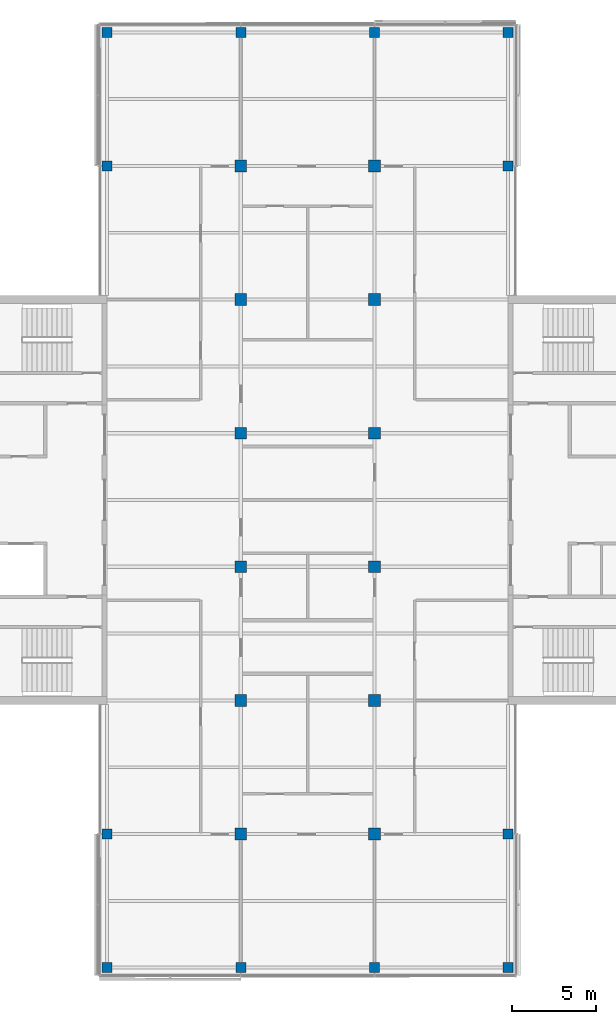
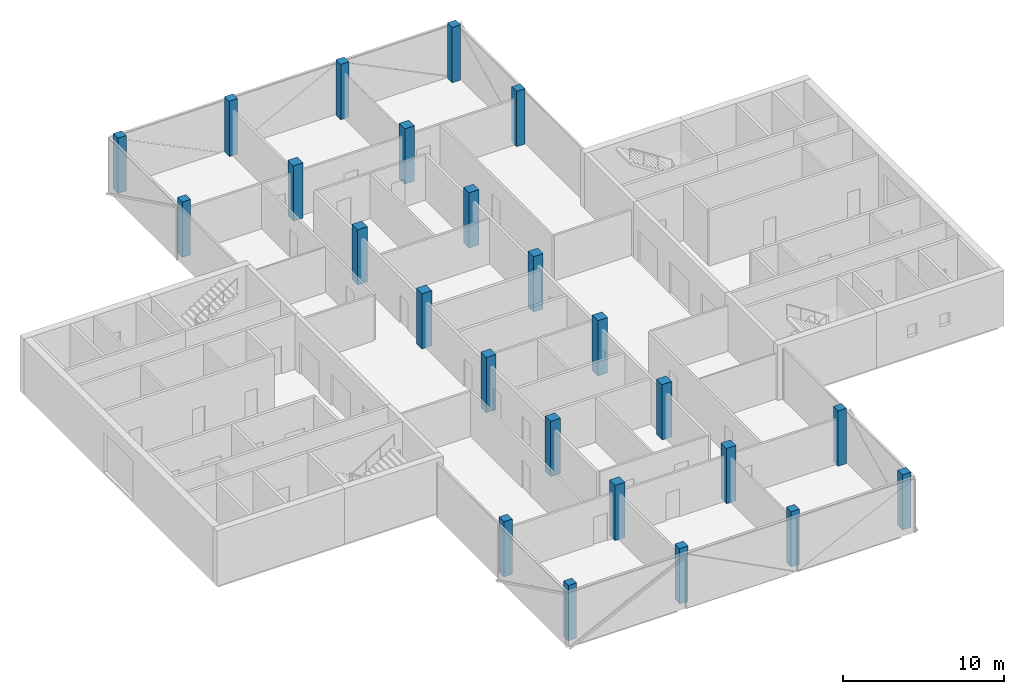
# One storey, part 1 of 16: 24 columns.
"""IFC4 building model written with IfcOpenShell, lengths in metres."""

from ifc_helpers import new_model, si_unit, direction, frame, origin, origin_2d, place, context, subcontext, project, spatial, rectangle, extrude, material, material_profile, profile_set, type_object, element, save


model = new_model("IFC4")

# Units and contexts
model_context = context("Model", 3, precision=1e-05, world=origin(), true_north=direction((0.0, 1.0)))
body_context = subcontext(model_context, "Body", "Model", "MODEL_VIEW")
ifc_project = project(units=[si_unit("LENGTHUNIT", "METRE"), si_unit("AREAUNIT", "SQUARE_METRE"), si_unit("VOLUMEUNIT", "CUBIC_METRE"), si_unit("PLANEANGLEUNIT", "RADIAN"), si_unit("MASSUNIT", "GRAM", prefix="KILO")], contexts=[model_context])

# Site, building, storey
site_placement = place(None, origin())
site = spatial("IfcSite", under=ifc_project, at=site_placement, CompositionType="ELEMENT")
building_placement = place(site_placement, origin())
building = spatial("IfcBuilding", under=site, at=building_placement, Name="Crosswind Convention Tower", CompositionType="ELEMENT")
storey_placement = place(building_placement, frame((0.0, 0.0, 249.300048828125)))
storey = spatial("IfcBuildingStorey", under=building, at=storey_placement, Name="L53", CompositionType="ELEMENT", Elevation=249.300048828125)

# Columns
ifc_material = material(Name="Concrete C60/75", Category="concrete")
ifc_material_profile_1 = material_profile(ifc_material, rectangle(XDim=0.60009765625, YDim=0.60009765625, at=origin_2d()), Name="RC 600X600")
ifc_profile_set_1 = profile_set([ifc_material_profile_1], Name="Concrete C60/75")
column_type_1 = type_object("IfcColumnType", Name="Column RC 600X600", PredefinedType="COLUMN", material=ifc_profile_set_1)
for number, where, z_axis, x_axis, name in (
    (1, (113.0, 72.0, 0.0), (0.0, 0.0, 1.0), (1.0, 0.0, 0.0), "C16 L53 5/C"),
    (2, (113.0, 80.0, 0.0), (0.0, 0.0, 1.0), (1.0, 0.0, 0.0), "C16 L53 5/D"),
    (3, (113.0, 120.0, 0.0), (0.0, 0.0, 1.0), (1.0, 0.0, 0.0), "C16 L53 5/I"),
    (4, (113.0, 128.0, 0.0), (0.0, 0.0, 1.0), (1.0, 0.0, 0.0), "C16 L53 5/J"),
    (5, (121.0, 72.0, 0.0), (0.0, 0.0, 1.0), (1.0, 0.0, 0.0), "C16 L53 6/C"),
    (6, (121.0, 128.0, 0.0), (0.0, 0.0, 1.0), (1.0, 0.0, 0.0), "C16 L53 6/J"),
    (7, (129.0, 72.0, 0.0), (0.0, 0.0, 1.0), (1.0, 0.0, 0.0), "C16 L53 7/C"),
    (8, (129.0, 128.0, 0.0), (0.0, 0.0, 1.0), (1.0, 0.0, 0.0), "C16 L53 7/J"),
    (9, (137.0, 72.0, 0.0), (0.0, 0.0, 1.0), (1.0, 0.0, 0.0), "C16 L53 8/C"),
    (10, (137.0, 80.0, 0.0), (0.0, 0.0, 1.0), (1.0, 0.0, 0.0), "C16 L53 8/D"),
    (11, (137.0, 120.0, 0.0), (0.0, 0.0, 1.0), (1.0, 0.0, 0.0), "C16 L53 8/I"),
    (12, (137.0, 128.0, 0.0), (0.0, 0.0, 1.0), (1.0, 0.0, 0.0), "C16 L53 8/J"),
):
    element("IfcColumn", number, at=place(storey_placement, frame(where, z_axis=z_axis, x_axis=x_axis)), inside=storey, type_object=column_type_1, Name=name, PredefinedType="COLUMN", context=body_context, shape_type="SweptSolid", body=[
        extrude(rectangle(XDim=0.60009765625, YDim=0.60009765625, at=origin_2d()), origin(), (0.0, 0.0, 1.0), 4.199951171875),
    ])
ifc_material_profile_2 = material_profile(ifc_material, rectangle(XDim=0.699951171875, YDim=0.699951171875, at=origin_2d()), Name="RC 700X700")
ifc_profile_set_2 = profile_set([ifc_material_profile_2], Name="Concrete C60/75")
column_type_2 = type_object("IfcColumnType", Name="Column RC 700X700", PredefinedType="COLUMN", material=ifc_profile_set_2)
for number, where, z_axis, x_axis, name in (
    (13, (121.0, 80.0, 0.0), (0.0, 0.0, 1.0), (1.0, 0.0, 0.0), "C15 L53 6/D"),
    (14, (121.0, 88.0, 0.0), (0.0, 0.0, 1.0), (1.0, 0.0, 0.0), "C15 L53 6/E"),
    (15, (121.0, 96.0, 0.0), (0.0, 0.0, 1.0), (1.0, 0.0, 0.0), "C15 L53 6/F"),
    (16, (121.0, 104.0, 0.0), (0.0, 0.0, 1.0), (1.0, 0.0, 0.0), "C15 L53 6/G"),
    (17, (121.0, 112.0, 0.0), (0.0, 0.0, 1.0), (1.0, 0.0, 0.0), "C15 L53 6/H"),
    (18, (121.0, 120.0, 0.0), (0.0, 0.0, 1.0), (1.0, 0.0, 0.0), "C15 L53 6/I"),
    (19, (129.0, 80.0, 0.0), (0.0, 0.0, 1.0), (1.0, 0.0, 0.0), "C15 L53 7/D"),
    (20, (129.0, 88.0, 0.0), (0.0, 0.0, 1.0), (1.0, 0.0, 0.0), "C15 L53 7/E"),
    (21, (129.0, 96.0, 0.0), (0.0, 0.0, 1.0), (1.0, 0.0, 0.0), "C15 L53 7/F"),
    (22, (129.0, 104.0, 0.0), (0.0, 0.0, 1.0), (1.0, 0.0, 0.0), "C15 L53 7/G"),
    (23, (129.0, 112.0, 0.0), (0.0, 0.0, 1.0), (1.0, 0.0, 0.0), "C15 L53 7/H"),
    (24, (129.0, 120.0, 0.0), (0.0, 0.0, 1.0), (1.0, 0.0, 0.0), "C15 L53 7/I"),
):
    element("IfcColumn", number, at=place(storey_placement, frame(where, z_axis=z_axis, x_axis=x_axis)), inside=storey, type_object=column_type_2, Name=name, PredefinedType="COLUMN", context=body_context, shape_type="SweptSolid", body=[
        extrude(rectangle(XDim=0.699951171875, YDim=0.699951171875, at=origin_2d()), origin(), (0.0, 0.0, 1.0), 4.199951171875),
    ])

save(model, "model.ifc")
